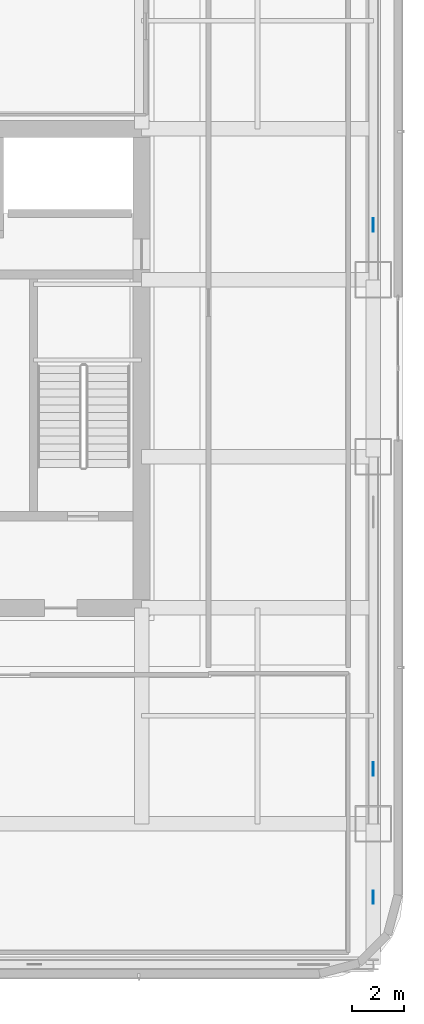
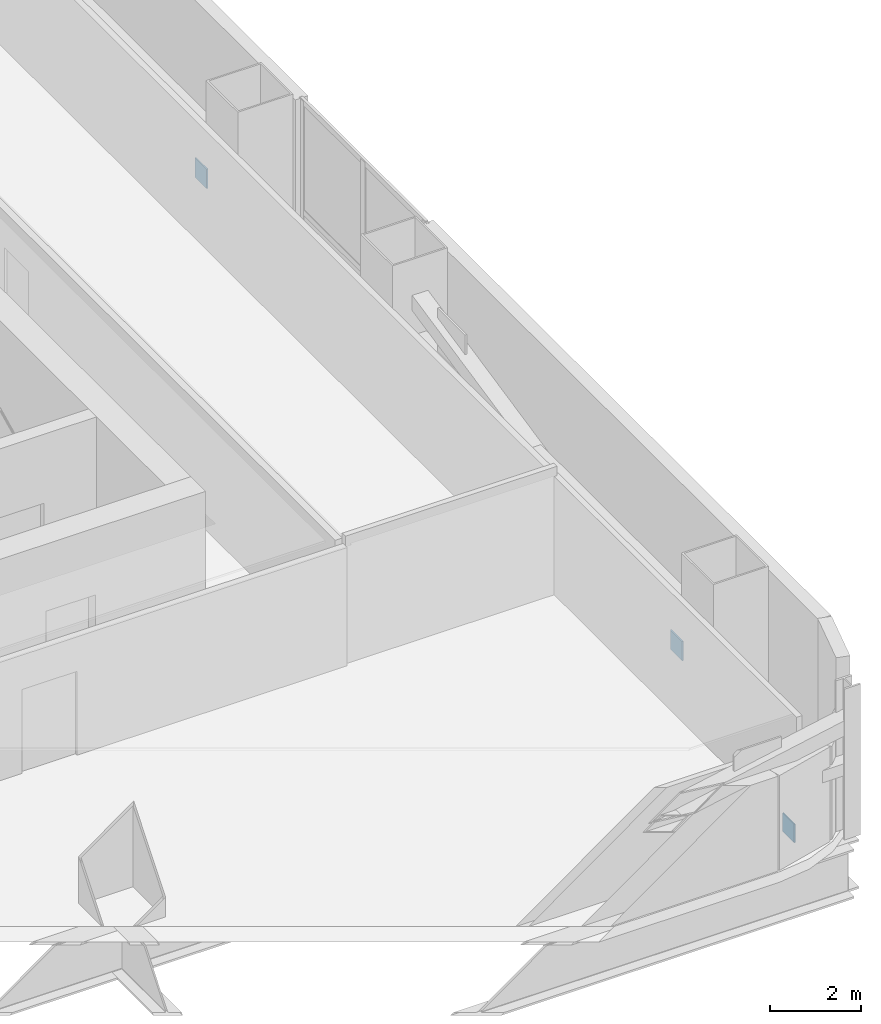
# One storey, part 8 of 29: 3 plates.
"""IFC4 building model written with IfcOpenShell, lengths in metres."""

from ifc_helpers import new_model, si_unit, direction, frame, origin, origin_2d, place, context, subcontext, project, spatial, rectangle, extrude, material, layer, layer_set, type_object, element, save


model = new_model("IFC4")

# Units and contexts
model_context = context("Model", 3, precision=1e-05, world=origin(), true_north=direction((0.0, 1.0)))
body_context = subcontext(model_context, "Body", "Model", "MODEL_VIEW")
ifc_project = project(units=[si_unit("LENGTHUNIT", "METRE"), si_unit("AREAUNIT", "SQUARE_METRE"), si_unit("VOLUMEUNIT", "CUBIC_METRE"), si_unit("PLANEANGLEUNIT", "RADIAN"), si_unit("MASSUNIT", "GRAM", prefix="KILO")], contexts=[model_context])

# Site, building, storey
site_placement = place(None, origin())
site = spatial("IfcSite", under=ifc_project, at=site_placement, CompositionType="ELEMENT")
building_placement = place(site_placement, origin())
building = spatial("IfcBuilding", under=site, at=building_placement, Name="Punatoya Terracotta Tower", CompositionType="ELEMENT")
storey_placement = place(building_placement, frame((0.0, 0.0, 172.199951171875)))
storey = spatial("IfcBuildingStorey", under=building, at=storey_placement, Name="L40", CompositionType="ELEMENT", Elevation=172.199951171875)

# Plates
ifc_material = material(Name="Steel S460", Category="steel")
ifc_layer = layer(ifc_material, 0.031982421875)
ifc_layer_set = layer_set([ifc_layer], Name="Steel S460")
plate_type = type_object("IfcPlateType", Name="PLT-END-32", PredefinedType="USERDEFINED", material=ifc_layer_set)
for number, where, z_axis, x_axis, name in (
    (1, (19.10009765625, -15.385009765625, 0.21142578125), (0.0, 0.0, 1.0), (0.0, 1.0, 0.0), "L40 Exoskeleton Base Node Plate E1"),
    (2, (19.10009765625, 5.514892578125, 0.21142578125), (0.0, 0.0, 1.0), (0.0, 1.0, 0.0), "L40 Exoskeleton Base Node Plate E3"),
):
    element("IfcPlate", number, at=place(storey_placement, frame(where, z_axis=z_axis, x_axis=x_axis)), inside=storey, type_object=plate_type, Name=name, ObjectType="FLANGE_PLATE", PredefinedType="USERDEFINED", context=body_context, shape_type="SweptSolid", body=[
        extrude(rectangle(XDim=0.52001953125, YDim=0.031982421875, at=origin_2d()), origin(), (0.0, 0.0, 1.0), 0.52001953125),
    ])
plate_placement = place(storey_placement, frame((19.10009765625, -20.31591796875, -1.683837890625), z_axis=(0.0, 0.0, 1.0), x_axis=(0.0, 1.0, 0.0)))
element("IfcPlate", 3, at=plate_placement, inside=storey, type_object=plate_type, Name="L40 Knee-Strut Upper End Cap Plate S2", ObjectType="FLANGE_PLATE", PredefinedType="USERDEFINED", context=body_context, shape_type="SweptSolid", body=[
    extrude(rectangle(XDim=0.5, YDim=0.031982421875, at=origin_2d()), origin(), (0.0, 0.0, 1.0), 0.5),
])

save(model, "model.ifc")
